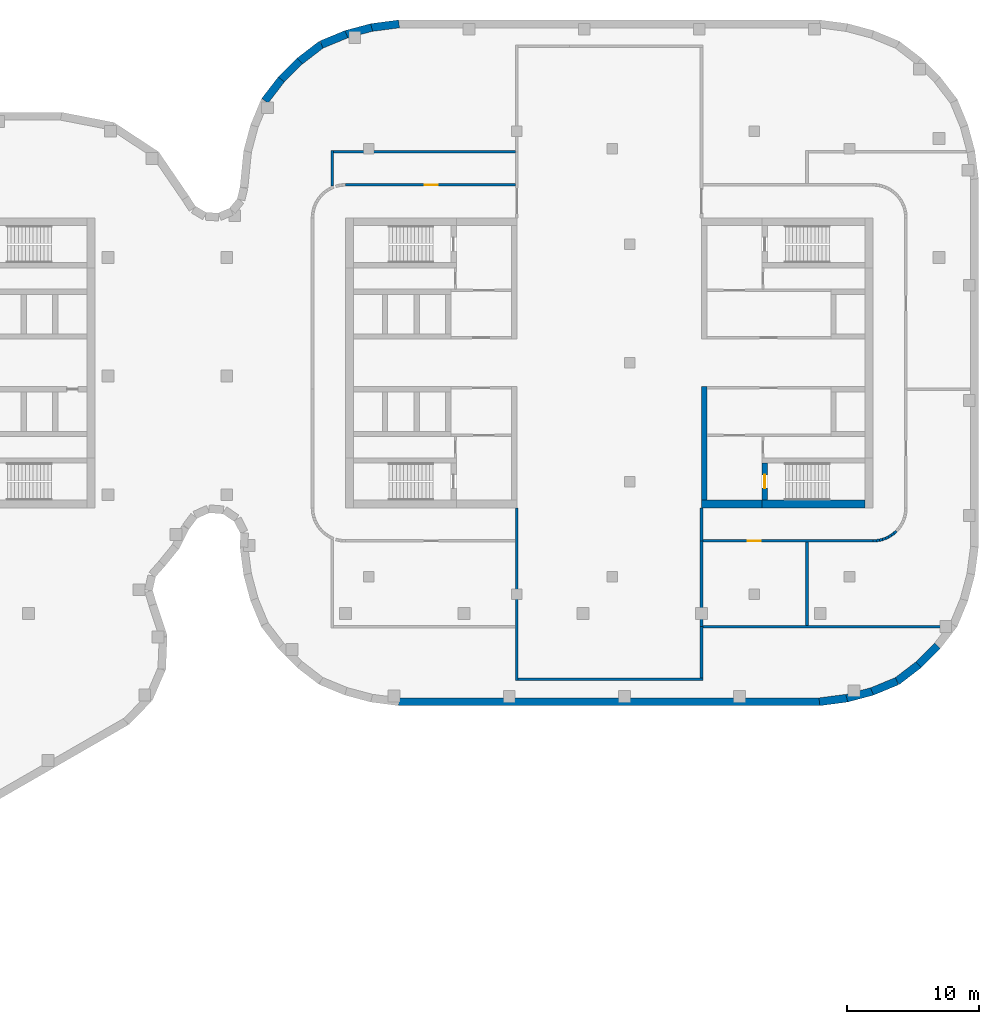
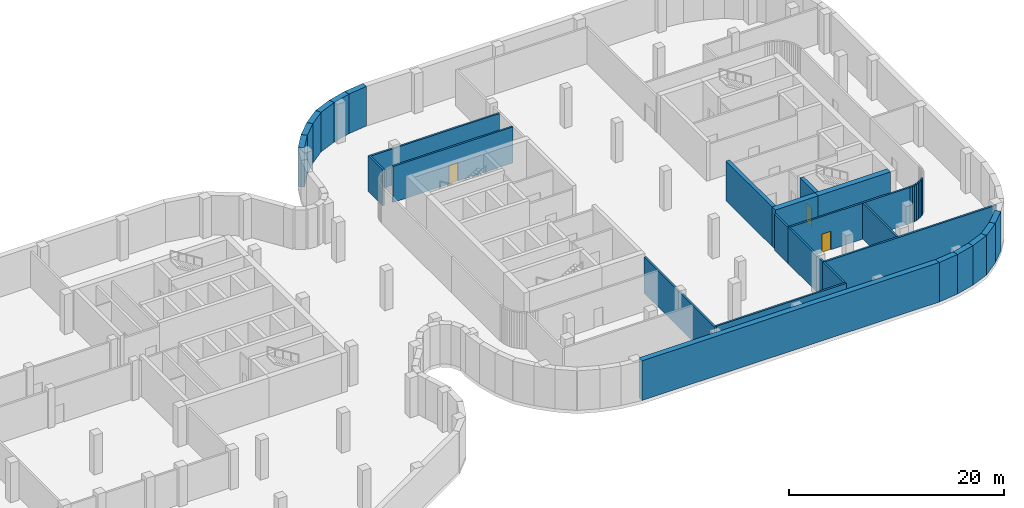
# One storey, part 11 of 16: 35 walls, 3 doors, 3 openings.
"""IFC4 building model written with IfcOpenShell, lengths in metres."""

import ifcopenshell
import ifcopenshell.guid

model = None  # the IFC model being written
_history = None  # IfcOwnerHistory: only IFC2X3 demands one
_inside = {}  # id of a spatial element -> (the spatial element, [elements in it])
_under = {}  # id of a project, library or spatial element -> (it, [spatial elements below it])
_declared = {}  # id of a project -> (the project, [libraries it declares])
_typed = {}  # id of a type object -> (the type object, [elements of that type])
_made_of = {}  # id of a material, layer set ... -> (it, [elements and type objects made of it])


def new_model(schema):
    """Start an empty IFC model of exactly this schema.

    Asked for "IFC4X3", IfcOpenShell would pick the latest addendum, in which some entities
    have other attributes; the version numbers below select the first issue.
    IFC2X3 requires an IfcOwnerHistory on every rooted entity: one is made here for all.
    """
    global model, _history
    if schema == "IFC4X3":
        model = ifcopenshell.file(schema_version=(4, 3, 0, 0))
    else:
        model = ifcopenshell.file(schema=schema)
    _inside.clear()
    _under.clear()
    _declared.clear()
    _typed.clear()
    _made_of.clear()
    _history = None
    if model.schema == "IFC2X3":
        org = make("IfcOrganization", Name="unknown")
        user = make(
            "IfcPersonAndOrganization",
            ThePerson=make("IfcPerson", FamilyName="unknown"),
            TheOrganization=org,
        )
        app = make(
            "IfcApplication",
            ApplicationDeveloper=org,
            Version="unknown",
            ApplicationFullName="unknown",
            ApplicationIdentifier="unknown",
        )
        _history = make(
            "IfcOwnerHistory",
            OwningUser=user,
            OwningApplication=app,
            ChangeAction="ADDED",
            CreationDate=0,
        )
    return model


def make(cls, **values):
    """One entity of the class cls with the attributes given. An attribute that is None is left unset."""
    return model.create_entity(
        cls, **{name: value for name, value in values.items() if value is not None}
    )


def rooted(cls, **values):
    """An entity with a GlobalId (a new one), such as an element, a storey or a relation."""
    return make(cls, GlobalId=ifcopenshell.guid.new(), OwnerHistory=_history, **values)


def si_unit(unit_type, name, prefix=None):
    """IfcSIUnit, for example si_unit("LENGTHUNIT", "METRE", prefix="MILLI")."""
    return make("IfcSIUnit", UnitType=unit_type, Prefix=prefix, Name=name)


def assignment(units):
    """IfcUnitAssignment: the units of a project."""
    return None if units is None else make("IfcUnitAssignment", Units=units)


def point(xyz):
    """IfcCartesianPoint."""
    return None if xyz is None else make("IfcCartesianPoint", Coordinates=xyz)


def direction(xyz):
    """IfcDirection."""
    return None if xyz is None else make("IfcDirection", DirectionRatios=xyz)


def frame(location, z_axis=None, x_axis=None):
    """IfcAxis2Placement3D, a coordinate frame: its origin and axes. An axis left out is left unset."""
    return make(
        "IfcAxis2Placement3D",
        Location=point(location),
        Axis=direction(z_axis),
        RefDirection=direction(x_axis),
    )


def frame_2d(location, x_axis=None):
    """IfcAxis2Placement2D, a coordinate frame in the plane: its origin and x axis."""
    return make(
        "IfcAxis2Placement2D", Location=point(location), RefDirection=direction(x_axis)
    )


def origin():
    """The frame at (0, 0, 0) with its axes left unset."""
    return frame((0.0, 0.0, 0.0))


def place(relative_to, where):
    """IfcLocalPlacement: puts the frame where relative to a parent placement (None: the world)."""
    return make(
        "IfcLocalPlacement", PlacementRelTo=relative_to, RelativePlacement=where
    )


def context(
    kind, dimensions, precision=None, world=None, true_north=None, identifier=None
):
    """IfcGeometricRepresentationContext, for example the 3D "Model" context."""
    return make(
        "IfcGeometricRepresentationContext",
        ContextIdentifier=identifier,
        ContextType=kind,
        CoordinateSpaceDimension=dimensions,
        Precision=precision,
        WorldCoordinateSystem=world,
        TrueNorth=true_north,
    )


def subcontext(parent, identifier, kind, view, scale=None):
    """IfcGeometricRepresentationSubContext, for example "Body" below "Model"."""
    return make(
        "IfcGeometricRepresentationSubContext",
        ContextIdentifier=identifier,
        ContextType=kind,
        ParentContext=parent,
        TargetScale=scale,
        TargetView=view,
    )


def project(units=None, contexts=None):
    """IfcProject with its units and contexts."""
    return rooted(
        "IfcProject",
        Name="project",
        RepresentationContexts=contexts,
        UnitsInContext=assignment(units),
    )


def spatial(cls, under=None, at=None, **own):
    """A site, building, storey or space (cls), placed at a placement, below another one or the project."""
    s = rooted(cls, ObjectPlacement=at, **own)
    if under is not None:
        _under.setdefault(under.id(), (under, []))[1].append(s)
    return s


def profile(cls, at=None, kind="AREA", **sizes):
    """A parametric profile (cls). Its sizes go by their IFC names, for example OverallWidth=200.0."""
    return make(cls, ProfileType=kind, Position=at, **sizes)


def rectangle(**sizes):
    """IfcRectangleProfileDef."""
    return profile("IfcRectangleProfileDef", **sizes)


def extrude(swept, where, along, depth):
    """IfcExtrudedAreaSolid: the profile swept, set in the frame where, extruded along a direction by depth."""
    return make(
        "IfcExtrudedAreaSolid",
        SweptArea=swept,
        Position=where,
        ExtrudedDirection=direction(along),
        Depth=depth,
    )


def shape(context_of_items, identifier, shape_type, items):
    """IfcShapeRepresentation: the items that make up one representation, for example the "Body"."""
    return make(
        "IfcShapeRepresentation",
        ContextOfItems=context_of_items,
        RepresentationIdentifier=identifier,
        RepresentationType=shape_type,
        Items=items,
    )


def material(Name=None, Category=None):
    """IfcMaterial."""
    return make("IfcMaterial", Name=Name, Category=Category)


def layer(
    of_material, thickness, ventilated=None, Name=None, Category=None, Priority=None
):
    """IfcMaterialLayer: one layer of a wall or slab, of a material (None: an air gap)."""
    return make(
        "IfcMaterialLayer",
        Material=of_material,
        LayerThickness=thickness,
        IsVentilated=ventilated,
        Name=Name,
        Category=Category,
        Priority=Priority,
    )


def layer_set(layers, Name=None):
    """IfcMaterialLayerSet."""
    return make("IfcMaterialLayerSet", MaterialLayers=layers, LayerSetName=Name)


def made_of(thing, what):
    """Note that an element or type object is made of a material, layer set ...; save() writes the relation."""
    if what is not None:
        _made_of.setdefault(what.id(), (what, []))[1].append(thing)
    return thing


def type_object(cls, material=None, **own):
    """A type object (cls), such as IfcWallType, which elements share."""
    return made_of(rooted(cls, **own), material)


def element(
    cls,
    number,
    at=None,
    inside=None,
    cuts=None,
    type_object=None,
    material=None,
    context=None,
    identifier="Body",
    shape_type=None,
    held_by="IfcProductDefinitionShape",
    body=None,
    shapes=None,
    **own,
):
    """One element of the class cls, such as IfcWall. Its Tag is "e" and its number.

    at: its placement. inside: the storey or other place that contains it. cuts: it is an
    opening in that element (IfcRelVoidsElement). A single representation is given by context,
    identifier, shape_type and body (its items); several are given by shapes. held_by: the class
    of the entity that holds the representations. save() writes the other relations.
    """
    e = rooted(cls, Tag="e%d" % number, ObjectPlacement=at, **own)
    if body is not None:
        shapes = [shape(context, identifier, shape_type, body)]
    if shapes is not None:
        e.Representation = make(held_by, Representations=shapes)
    if inside is not None:
        _inside.setdefault(inside.id(), (inside, []))[1].append(e)
    if cuts is not None:
        rooted(
            "IfcRelVoidsElement", RelatingBuildingElement=cuts, RelatedOpeningElement=e
        )
    if type_object is not None:
        _typed.setdefault(type_object.id(), (type_object, []))[1].append(e)
    return made_of(e, material)


def fill(opening, filler):
    """IfcRelFillsElement: the door or window that sits in an opening."""
    return rooted(
        "IfcRelFillsElement",
        RelatingOpeningElement=opening,
        RelatedBuildingElement=filler,
    )


def aggregate(whole, parts):
    """IfcRelAggregates: a whole, such as a stair, and the parts it consists of."""
    return rooted("IfcRelAggregates", RelatingObject=whole, RelatedObjects=parts)


def save(model, path):
    """Write the relations noted so far, then the file.

    IfcRelAggregates (storeys below a building ...), IfcRelContainedInSpatialStructure (elements
    in a storey), IfcRelDefinesByType, IfcRelAssociatesMaterial and IfcRelDeclares: one each for
    every whole, place, type object, material and project.
    """
    for whole, parts in _under.values():
        aggregate(whole, parts)
    for where, things in _inside.values():
        rooted(
            "IfcRelContainedInSpatialStructure",
            RelatedElements=things,
            RelatingStructure=where,
        )
    for kind, things in _typed.values():
        rooted("IfcRelDefinesByType", RelatedObjects=things, RelatingType=kind)
    for what, things in _made_of.values():
        rooted("IfcRelAssociatesMaterial", RelatedObjects=things, RelatingMaterial=what)
    for by, libraries in _declared.values():
        rooted("IfcRelDeclares", RelatingContext=by, RelatedDefinitions=libraries)
    model.write(path)


model = new_model("IFC4")

# Units and contexts
model_context = context("Model", 3, precision=1e-05, world=origin(), true_north=direction((0.0, 1.0)))
body_context = subcontext(model_context, "Body", "Model", "MODEL_VIEW")
ifc_project = project(units=[si_unit("LENGTHUNIT", "METRE"), si_unit("AREAUNIT", "SQUARE_METRE"), si_unit("VOLUMEUNIT", "CUBIC_METRE"), si_unit("PLANEANGLEUNIT", "RADIAN"), si_unit("MASSUNIT", "GRAM", prefix="KILO")], contexts=[model_context])

# Site, building, storey
site_placement = place(None, origin())
site = spatial("IfcSite", under=ifc_project, at=site_placement, CompositionType="ELEMENT")
building_placement = place(site_placement, origin())
building = spatial("IfcBuilding", under=site, at=building_placement, Name="Skarvind Civic Tower", CompositionType="ELEMENT")
storey_placement = place(building_placement, frame((0.0, 0.0, -4.5)))
storey = spatial("IfcBuildingStorey", under=building, at=storey_placement, Name="B1", CompositionType="ELEMENT", Elevation=-4.5)

# Walls
ifc_material_1 = material(Name="Concrete C40", Category="concrete")
ifc_layer_1 = layer(ifc_material_1, 0.60009765625)
ifc_layer_set_1 = layer_set([ifc_layer_1], Name="Basement retaining wall 600 C40")
wall_type_1 = type_object("IfcWallType", Name="Basement retaining wall 600 C40", PredefinedType="SHEAR", material=ifc_layer_set_1)
wall_1_placement = place(storey_placement, frame((120.890625, 147.87158203125, 0.0), z_axis=(0.0, 0.0, 1.0), x_axis=(0.609058260448, 0.793125485267, 0.0)))
element("IfcWall", 1, at=wall_1_placement, inside=storey, type_object=wall_type_1, Name="Basement retaining wall B1 37", PredefinedType="SHEAR", context=body_context, shape_type="SweptSolid", body=[
    extrude(rectangle(XDim=2.0439453125, YDim=0.60009765625, at=frame_2d((1.02197265625, 0.0))), origin(), (0.0, 0.0, 1.0), 4.5),
])
wall_2_placement = place(storey_placement, frame((122.109619140625, 149.463134765625, 0.0), z_axis=(0.0, 0.0, 1.0), x_axis=(0.707106781187, 0.707106781187, 0.0)))
element("IfcWall", 2, at=wall_2_placement, inside=storey, type_object=wall_type_1, Name="Basement retaining wall B1 38", PredefinedType="SHEAR", context=body_context, shape_type="SweptSolid", body=[
    extrude(rectangle(XDim=2.018310546875, YDim=0.60009765625, at=frame_2d((1.00927734375, 0.0))), origin(), (0.0, 0.0, 1.0), 4.5),
])
wall_3_placement = place(storey_placement, frame((123.50732421875, 150.864501953125, 0.0), z_axis=(0.0, 0.0, 1.0), x_axis=(0.79313029079, 0.609052002567, 0.0)))
element("IfcWall", 3, at=wall_3_placement, inside=storey, type_object=wall_type_1, Name="Basement retaining wall B1 39", PredefinedType="SHEAR", context=body_context, shape_type="SweptSolid", body=[
    extrude(rectangle(XDim=2.114013671875, YDim=0.60009765625, at=frame_2d((1.05712890625, 0.0))), origin(), (0.0, 0.0, 1.0), 4.5),
])
wall_4_placement = place(storey_placement, frame((125.1806640625, 152.1396484375, 0.0), z_axis=(0.0, 0.0, 1.0), x_axis=(0.924021197839, 0.382341242798, 0.0)))
element("IfcWall", 4, at=wall_4_placement, inside=storey, type_object=wall_type_1, Name="Basement retaining wall B1 40", PredefinedType="SHEAR", context=body_context, shape_type="SweptSolid", body=[
    extrude(rectangle(XDim=2.0439453125, YDim=0.60009765625, at=frame_2d((1.02197265625, 0.0))), origin(), (0.0, 0.0, 1.0), 4.5),
])
wall_5_placement = place(storey_placement, frame((127.032470703125, 152.908447265625, 0.0), z_axis=(0.0, 0.0, 1.0), x_axis=(0.965929732323, 0.258804467146, 0.0)))
element("IfcWall", 5, at=wall_5_placement, inside=storey, type_object=wall_type_1, Name="Basement retaining wall B1 41", PredefinedType="SHEAR", context=body_context, shape_type="SweptSolid", body=[
    extrude(rectangle(XDim=2.0224609375, YDim=0.60009765625, at=frame_2d((1.01123046875, 0.0))), origin(), (0.0, 0.0, 1.0), 4.5),
])
wall_6_placement = place(storey_placement, frame((128.947509765625, 153.42431640625, 0.0), z_axis=(0.0, 0.0, 1.0), x_axis=(0.991440646942, 0.130558200013, 0.0)))
element("IfcWall", 6, at=wall_6_placement, inside=storey, type_object=wall_type_1, Name="Basement retaining wall B1 42", PredefinedType="SHEAR", context=body_context, shape_type="SweptSolid", body=[
    extrude(rectangle(XDim=2.1318359375, YDim=0.60009765625, at=frame_2d((1.06591796875, 0.0))), origin(), (0.0, 0.0, 1.0), 4.5),
])
wall_7_placement = place(storey_placement, frame((171.890380859375, 106.536865234375, 0.0), z_axis=(0.0, 0.0, 1.0), x_axis=(-0.707106781187, -0.707106781187, 0.0)))
element("IfcWall", 7, at=wall_7_placement, inside=storey, type_object=wall_type_1, Name="Basement retaining wall B1 58", PredefinedType="SHEAR", context=body_context, shape_type="SweptSolid", body=[
    extrude(rectangle(XDim=2.018310546875, YDim=0.60009765625, at=frame_2d((1.00927734375, 0.0))), origin(), (0.0, 0.0, 1.0), 4.5),
])
wall_8_placement = place(storey_placement, frame((170.49267578125, 105.135498046875, 0.0), z_axis=(0.0, 0.0, 1.0), x_axis=(-0.79313029079, -0.609052002567, 0.0)))
element("IfcWall", 8, at=wall_8_placement, inside=storey, type_object=wall_type_1, Name="Basement retaining wall B1 59", PredefinedType="SHEAR", context=body_context, shape_type="SweptSolid", body=[
    extrude(rectangle(XDim=2.114013671875, YDim=0.60009765625, at=frame_2d((1.05712890625, 0.0))), origin(), (0.0, 0.0, 1.0), 4.5),
])
wall_9_placement = place(storey_placement, frame((168.8193359375, 103.8603515625, 0.0), z_axis=(0.0, 0.0, 1.0), x_axis=(-0.924021197839, -0.382341242798, 0.0)))
element("IfcWall", 9, at=wall_9_placement, inside=storey, type_object=wall_type_1, Name="Basement retaining wall B1 60", PredefinedType="SHEAR", context=body_context, shape_type="SweptSolid", body=[
    extrude(rectangle(XDim=2.0439453125, YDim=0.60009765625, at=frame_2d((1.02197265625, 0.0))), origin(), (0.0, 0.0, 1.0), 4.5),
])
wall_10_placement = place(storey_placement, frame((166.967529296875, 103.091552734375, 0.0), z_axis=(0.0, 0.0, 1.0), x_axis=(-0.965929732323, -0.258804467146, 0.0)))
element("IfcWall", 10, at=wall_10_placement, inside=storey, type_object=wall_type_1, Name="Basement retaining wall B1 61", PredefinedType="SHEAR", context=body_context, shape_type="SweptSolid", body=[
    extrude(rectangle(XDim=2.0224609375, YDim=0.60009765625, at=frame_2d((1.01123046875, 0.0))), origin(), (0.0, 0.0, 1.0), 4.5),
])
wall_11_placement = place(storey_placement, frame((165.052490234375, 102.57568359375, 0.0), z_axis=(0.0, 0.0, 1.0), x_axis=(-0.991440646942, -0.130558200013, 0.0)))
element("IfcWall", 11, at=wall_11_placement, inside=storey, type_object=wall_type_1, Name="Basement retaining wall B1 62", PredefinedType="SHEAR", context=body_context, shape_type="SweptSolid", body=[
    extrude(rectangle(XDim=2.1318359375, YDim=0.60009765625, at=frame_2d((1.06591796875, 0.0))), origin(), (0.0, 0.0, 1.0), 4.5),
])
wall_12_placement = place(storey_placement, frame((162.978271484375, 102.300048828125, 0.0), z_axis=(0.0, 0.0, 1.0), x_axis=(-1.0, 0.0, 0.0)))
element("IfcWall", 12, at=wall_12_placement, inside=storey, type_object=wall_type_1, Name="Basement retaining wall B1 63", PredefinedType="SHEAR", context=body_context, shape_type="SweptSolid", body=[
    extrude(rectangle(XDim=31.95654296875, YDim=0.60009765625, at=frame_2d((15.978271484375, 0.0))), origin(), (0.0, 0.0, 1.0), 4.5),
])

# Wall, opening, door
ifc_material_2 = material(Name="Concrete C80", Category="concrete")
ifc_layer_2 = layer(ifc_material_2, 0.39990234375)
ifc_layer_set_2 = layer_set([ifc_layer_2], Name="Core wall 400 C80")
wall_type_2 = type_object("IfcWallType", Name="Core wall 400 C80", PredefinedType="SHEAR", material=ifc_layer_set_2)
wall_13_placement = place(storey_placement, frame((158.800048828125, 120.39990234375, 0.0), z_axis=(0.0, 0.0, 1.0), x_axis=(0.0, -1.0, 0.0)))
wall_13 = element("IfcWall", 13, at=wall_13_placement, inside=storey, type_object=wall_type_2, Name="Core wall CB north stair end B1", PredefinedType="SHEAR", context=body_context, shape_type="SweptSolid", body=[
    extrude(rectangle(XDim=2.7998046875, YDim=0.39990234375, at=frame_2d((1.39990234375, 0.0))), origin(), (0.0, 0.0, 1.0), 4.5),
])
opening_1_placement = place(wall_13_placement, frame((0.89990234375, 0.0, 0.0)))
opening_1 = element("IfcOpeningElement", 14, at=opening_1_placement, cuts=wall_13, Name="Opening D-B1-CB-03", PredefinedType="OPENING", context=body_context, shape_type="SweptSolid", body=[
    extrude(rectangle(XDim=1.0, YDim=2.10009765625, at=frame_2d((0.5, 1.050048828125))), frame((0.0, 0.2099609375, 0.0), z_axis=(0.0, -1.0, 0.0), x_axis=(1.0, 0.0, 0.0)), (0.0, 0.0, 1.0), 0.419921875),
])
ifc_material_3 = material(Name="Fire-rated steel door", Category="steel")
door_type_1 = type_object("IfcDoorType", Name="Fire door 1000", OperationType="NOTDEFINED", PredefinedType="DOOR", material=ifc_material_3)
door_1_placement = place(opening_1_placement, origin())
door_1 = element("IfcDoor", 15, at=door_1_placement, inside=storey, type_object=door_type_1, Name="Fire door", OperationType="SINGLE_SWING_LEFT", OverallHeight=2.10009765625, OverallWidth=1.0, PredefinedType="DOOR", context=body_context, shape_type="SweptSolid", body=[
    extrude(rectangle(XDim=1.0, YDim=2.10009765625, at=frame_2d((0.5, 1.050048828125))), frame((0.0, 0.02490234375, 0.0), z_axis=(0.0, -1.0, 0.0), x_axis=(1.0, 0.0, 0.0)), (0.0, 0.0, 1.0), 0.050048828125),
])
fill(opening_1, door_1)

# Walls
wall_14_placement = place(storey_placement, frame((154.199951171875, 126.199951171875, 0.0), z_axis=(0.0, 0.0, 1.0), x_axis=(0.0, -1.0, 0.0)))
element("IfcWall", 16, at=wall_14_placement, inside=storey, type_object=wall_type_2, Name="Core wall CB north inner face B1", PredefinedType="SHEAR", context=body_context, shape_type="SweptSolid", body=[
    extrude(rectangle(XDim=8.599853515625, YDim=0.39990234375, at=frame_2d((4.2998046875, 0.0))), origin(), (0.0, 0.0, 1.0), 4.5),
])
ifc_layer_3 = layer(ifc_material_2, 0.60009765625)
ifc_layer_set_3 = layer_set([ifc_layer_3], Name="Core wall 600 C80")
wall_type_3 = type_object("IfcWallType", Name="Core wall 600 C80", PredefinedType="SHEAR", material=ifc_layer_set_3)
wall_15_placement = place(storey_placement, frame((166.39990234375, 117.300048828125, 0.0), z_axis=(0.0, 0.0, 1.0), x_axis=(-1.0, 0.0, 0.0)))
element("IfcWall", 17, at=wall_15_placement, inside=storey, type_object=wall_type_3, Name="Core wall CB north side at the stair B1", PredefinedType="SHEAR", context=body_context, shape_type="SweptSolid", body=[
    extrude(rectangle(XDim=7.7998046875, YDim=0.60009765625, at=frame_2d((3.89990234375, 0.0))), origin(), (0.0, 0.0, 1.0), 4.5),
])
wall_16_placement = place(storey_placement, frame((158.60009765625, 117.300048828125, 0.0), z_axis=(0.0, 0.0, 1.0), x_axis=(-1.0, 0.0, 0.0)))
element("IfcWall", 18, at=wall_16_placement, inside=storey, type_object=wall_type_3, Name="Core wall CB north side B1", PredefinedType="SHEAR", context=body_context, shape_type="SweptSolid", body=[
    extrude(rectangle(XDim=4.60009765625, YDim=0.60009765625, at=frame_2d((2.300048828125, 0.0))), origin(), (0.0, 0.0, 1.0), 4.5),
])
ifc_material_4 = material(Name="Fire-rated blockwork wall, plastered", Category="masonry")
ifc_layer_4 = layer(ifc_material_4, 0.199951171875)
ifc_layer_set_4 = layer_set([ifc_layer_4], Name="FIRE WALL 200 EI 120")
wall_type_4 = type_object("IfcWallType", Name="FIRE WALL 200 EI 120", PredefinedType="PARTITIONING", material=ifc_layer_set_4)
wall_17_placement = place(storey_placement, frame((126.0, 141.40087890625, 0.0), z_axis=(0.0, 0.0, 1.0), x_axis=(0.0, 1.0, 0.0)))
element("IfcWall", 19, at=wall_17_placement, inside=storey, type_object=wall_type_4, Name="Basement partition B1 061", PredefinedType="PARTITIONING", context=body_context, shape_type="SweptSolid", body=[
    extrude(rectangle(XDim=2.69921875, YDim=0.199951171875, at=frame_2d((1.349609375, 0.0))), origin(), (0.0, 0.0, 1.0), 4.10009765625),
])
wall_18_placement = place(storey_placement, frame((126.10009765625, 144.0, 0.0), z_axis=(0.0, 0.0, 1.0), x_axis=(1.0, 0.0, 0.0)))
element("IfcWall", 20, at=wall_18_placement, inside=storey, type_object=wall_type_4, Name="Basement partition B1 062", PredefinedType="PARTITIONING", context=body_context, shape_type="SweptSolid", body=[
    extrude(rectangle(XDim=13.7998046875, YDim=0.199951171875, at=frame_2d((6.89990234375, 0.0))), origin(), (0.0, 0.0, 1.0), 4.10009765625),
])
wall_19_placement = place(storey_placement, frame((154.0, 108.0, 0.0), z_axis=(0.0, 0.0, 1.0), x_axis=(0.0, 1.0, 0.0)))
element("IfcWall", 21, at=wall_19_placement, inside=storey, type_object=wall_type_4, Name="Basement partition B1 080", PredefinedType="PARTITIONING", context=body_context, shape_type="SweptSolid", body=[
    extrude(rectangle(XDim=6.5, YDim=0.199951171875, at=frame_2d((3.25, 0.0))), origin(), (0.0, 0.0, 1.0), 4.10009765625),
])
wall_20_placement = place(storey_placement, frame((154.10009765625, 108.0, 0.0), z_axis=(0.0, 0.0, 1.0), x_axis=(1.0, 0.0, 0.0)))
element("IfcWall", 22, at=wall_20_placement, inside=storey, type_object=wall_type_4, Name="Basement partition B1 081", PredefinedType="PARTITIONING", context=body_context, shape_type="SweptSolid", body=[
    extrude(rectangle(XDim=18.468994140625, YDim=0.199951171875, at=frame_2d((9.234375, 0.0))), origin(), (0.0, 0.0, 1.0), 4.10009765625),
])

# Wall, opening, door
wall_21_placement = place(storey_placement, frame((167.001953125, 114.5, 0.0), z_axis=(0.0, 0.0, 1.0), x_axis=(-1.0, 0.0, 0.0)))
wall_21 = element("IfcWall", 23, at=wall_21_placement, inside=storey, type_object=wall_type_4, Name="Basement partition B1 083", PredefinedType="PARTITIONING", context=body_context, shape_type="SweptSolid", body=[
    extrude(rectangle(XDim=12.90185546875, YDim=0.199951171875, at=frame_2d((6.450927734375, 0.0))), origin(), (0.0, 0.0, 1.0), 4.10009765625),
])
opening_2_placement = place(wall_21_placement, frame((8.5, 0.0, 0.0)))
opening_2 = element("IfcOpeningElement", 24, at=opening_2_placement, cuts=wall_21, Name="Opening B1-D217", PredefinedType="OPENING", context=body_context, shape_type="SweptSolid", body=[
    extrude(rectangle(XDim=1.0, YDim=2.10009765625, at=frame_2d((0.5, 1.050048828125))), frame((0.0, 0.10986328125, 0.0), z_axis=(0.0, -1.0, 0.0), x_axis=(1.0, 0.0, 0.0)), (0.0, 0.0, 1.0), 0.219970703125),
])
ifc_material_5 = material(Name="Painted steel fire door leaf", Category="steel")
door_type_2 = type_object("IfcDoorType", Name="FIRE DOOR 1000X2100 STEEL", OperationType="NOTDEFINED", PredefinedType="DOOR", material=ifc_material_5)
door_2_placement = place(opening_2_placement, origin())
door_2 = element("IfcDoor", 25, at=door_2_placement, inside=storey, type_object=door_type_2, Name="FIRE DOOR", OperationType="SINGLE_SWING_LEFT", OverallHeight=2.10009765625, OverallWidth=1.0, PredefinedType="DOOR", context=body_context, shape_type="SweptSolid", body=[
    extrude(rectangle(XDim=1.0, YDim=2.10009765625, at=frame_2d((0.5, 1.050048828125))), frame((0.0, 0.02490234375, 0.0), z_axis=(0.0, -1.0, 0.0), x_axis=(1.0, 0.0, 0.0)), (0.0, 0.0, 1.0), 0.050048828125),
])
fill(opening_2, door_2)

# Walls
wall_22_placement = place(storey_placement, frame((162.0, 108.10009765625, 0.0), z_axis=(0.0, 0.0, 1.0), x_axis=(0.0, 1.0, 0.0)))
element("IfcWall", 26, at=wall_22_placement, inside=storey, type_object=wall_type_4, Name="Basement partition B1 086", PredefinedType="PARTITIONING", context=body_context, shape_type="SweptSolid", body=[
    extrude(rectangle(XDim=6.2998046875, YDim=0.199951171875, at=frame_2d((3.14990234375, 0.0))), origin(), (0.0, 0.0, 1.0), 4.10009765625),
])
wall_23_placement = place(storey_placement, frame((166.998046875, 114.5, 0.0), z_axis=(0.0, 0.0, 1.0), x_axis=(0.998874697667, 0.047427190102, 0.0)))
element("IfcWall", 27, at=wall_23_placement, inside=storey, type_object=wall_type_4, Name="Basement partition B1 089", PredefinedType="PARTITIONING", context=body_context, shape_type="SweptSolid", body=[
    extrude(rectangle(XDim=0.252197265625, YDim=0.199951171875, at=frame_2d((0.1259765625, 0.0))), origin(), (0.0, 0.0, 1.0), 4.10009765625),
])
wall_24_placement = place(storey_placement, frame((167.239990234375, 114.510986328125, 0.0), z_axis=(0.0, 0.0, 1.0), x_axis=(0.988852180426, 0.148900521377, 0.0)))
element("IfcWall", 28, at=wall_24_placement, inside=storey, type_object=wall_type_4, Name="Basement partition B1 091", PredefinedType="PARTITIONING", context=body_context, shape_type="SweptSolid", body=[
    extrude(rectangle(XDim=0.255859375, YDim=0.199951171875, at=frame_2d((0.1279296875, 0.0))), origin(), (0.0, 0.0, 1.0), 4.10009765625),
])
wall_25_placement = place(storey_placement, frame((167.48291015625, 114.547119140625, 0.0), z_axis=(0.0, 0.0, 1.0), x_axis=(0.970366809683, 0.241636616978, 0.0)))
element("IfcWall", 29, at=wall_25_placement, inside=storey, type_object=wall_type_4, Name="Basement partition B1 093", PredefinedType="PARTITIONING", context=body_context, shape_type="SweptSolid", body=[
    extrude(rectangle(XDim=0.255615234375, YDim=0.199951171875, at=frame_2d((0.1279296875, 0.0))), origin(), (0.0, 0.0, 1.0), 4.10009765625),
])
wall_26_placement = place(storey_placement, frame((167.721923828125, 114.60595703125, 0.0), z_axis=(0.0, 0.0, 1.0), x_axis=(0.941459892631, 0.337125007331, 0.0)))
element("IfcWall", 30, at=wall_26_placement, inside=storey, type_object=wall_type_4, Name="Basement partition B1 095", PredefinedType="PARTITIONING", context=body_context, shape_type="SweptSolid", body=[
    extrude(rectangle(XDim=0.2548828125, YDim=0.199951171875, at=frame_2d((0.12744140625, 0.0))), origin(), (0.0, 0.0, 1.0), 4.10009765625),
])
wall_27_placement = place(storey_placement, frame((167.951904296875, 114.68798828125, 0.0), z_axis=(0.0, 0.0, 1.0), x_axis=(0.903444698448, 0.4287046499, 0.0)))
element("IfcWall", 31, at=wall_27_placement, inside=storey, type_object=wall_type_4, Name="Basement partition B1 097", PredefinedType="PARTITIONING", context=body_context, shape_type="SweptSolid", body=[
    extrude(rectangle(XDim=0.254638671875, YDim=0.199951171875, at=frame_2d((0.12744140625, 0.0))), origin(), (0.0, 0.0, 1.0), 4.10009765625),
])
wall_28_placement = place(storey_placement, frame((168.174072265625, 114.79296875, 0.0), z_axis=(0.0, 0.0, 1.0), x_axis=(0.857998903579, 0.513651517527, 0.0)))
element("IfcWall", 32, at=wall_28_placement, inside=storey, type_object=wall_type_4, Name="Basement partition B1 099", PredefinedType="PARTITIONING", context=body_context, shape_type="SweptSolid", body=[
    extrude(rectangle(XDim=0.255126953125, YDim=0.199951171875, at=frame_2d((0.12744140625, 0.0))), origin(), (0.0, 0.0, 1.0), 4.10009765625),
])
wall_29_placement = place(storey_placement, frame((168.385009765625, 114.91796875, 0.0), z_axis=(0.0, 0.0, 1.0), x_axis=(0.803201336243, 0.595707657713, 0.0)))
element("IfcWall", 33, at=wall_29_placement, inside=storey, type_object=wall_type_4, Name="Basement partition B1 101", PredefinedType="PARTITIONING", context=body_context, shape_type="SweptSolid", body=[
    extrude(rectangle(XDim=0.25537109375, YDim=0.199951171875, at=frame_2d((0.127685546875, 0.0))), origin(), (0.0, 0.0, 1.0), 4.10009765625),
])
wall_30_placement = place(storey_placement, frame((168.58203125, 115.06396484375, 0.0), z_axis=(0.0, 0.0, 1.0), x_axis=(0.742914175687, 0.66938668015, 0.0)))
element("IfcWall", 34, at=wall_30_placement, inside=storey, type_object=wall_type_4, Name="Basement partition B1 103", PredefinedType="PARTITIONING", context=body_context, shape_type="SweptSolid", body=[
    extrude(rectangle(XDim=0.255615234375, YDim=0.199951171875, at=frame_2d((0.1279296875, 0.0))), origin(), (0.0, 0.0, 1.0), 4.10009765625),
])

# Wall, opening, door
ifc_layer_5 = layer(ifc_material_4, 0.199951171875)
ifc_layer_set_5 = layer_set([ifc_layer_5], Name="FIRE WALL 200 EI 60")
wall_type_5 = type_object("IfcWallType", Name="FIRE WALL 200 EI 60", PredefinedType="PARTITIONING", material=ifc_layer_set_5)
wall_31_placement = place(storey_placement, frame((126.998046875, 141.5, 0.0), z_axis=(0.0, 0.0, 1.0), x_axis=(1.0, 0.0, 0.0)))
wall_31 = element("IfcWall", 35, at=wall_31_placement, inside=storey, type_object=wall_type_5, Name="Basement partition B1 072", PredefinedType="PARTITIONING", context=body_context, shape_type="SweptSolid", body=[
    extrude(rectangle(XDim=12.90185546875, YDim=0.199951171875, at=frame_2d((6.450927734375, 0.0))), origin(), (0.0, 0.0, 1.0), 4.10009765625),
])
opening_3_placement = place(wall_31_placement, frame((6.001953125, 0.0, 0.0)))
opening_3 = element("IfcOpeningElement", 36, at=opening_3_placement, cuts=wall_31, Name="Opening B1-D214", PredefinedType="OPENING", context=body_context, shape_type="SweptSolid", body=[
    extrude(rectangle(XDim=1.0, YDim=2.10009765625, at=frame_2d((0.5, 1.050048828125))), frame((0.0, 0.10986328125, 0.0), z_axis=(0.0, -1.0, 0.0), x_axis=(1.0, 0.0, 0.0)), (0.0, 0.0, 1.0), 0.219970703125),
])
door_3_placement = place(opening_3_placement, origin())
door_3 = element("IfcDoor", 37, at=door_3_placement, inside=storey, type_object=door_type_2, Name="FIRE DOOR", OperationType="SINGLE_SWING_RIGHT", OverallHeight=2.10009765625, OverallWidth=1.0, PredefinedType="DOOR", context=body_context, shape_type="SweptSolid", body=[
    extrude(rectangle(XDim=1.0, YDim=2.10009765625, at=frame_2d((0.5, 1.050048828125))), frame((0.0, 0.02490234375, 0.0), z_axis=(0.0, -1.0, 0.0), x_axis=(1.0, 0.0, 0.0)), (0.0, 0.0, 1.0), 0.050048828125),
])
fill(opening_3, door_3)

# Walls
wall_32_placement = place(storey_placement, frame((140.0, 103.89990234375, 0.0), z_axis=(0.0, 0.0, 1.0), x_axis=(0.0, 1.0, 0.0)))
element("IfcWall", 38, at=wall_32_placement, inside=storey, type_object=wall_type_5, Name="Basement partition B1 073", PredefinedType="PARTITIONING", context=body_context, shape_type="SweptSolid", body=[
    extrude(rectangle(XDim=13.10009765625, YDim=0.199951171875, at=frame_2d((6.550048828125, 0.0))), origin(), (0.0, 0.0, 1.0), 4.10009765625),
])
wall_33_placement = place(storey_placement, frame((140.10009765625, 104.0, 0.0), z_axis=(0.0, 0.0, 1.0), x_axis=(1.0, 0.0, 0.0)))
element("IfcWall", 39, at=wall_33_placement, inside=storey, type_object=wall_type_5, Name="Basement partition B1 074", PredefinedType="PARTITIONING", context=body_context, shape_type="SweptSolid", body=[
    extrude(rectangle(XDim=14.0, YDim=0.199951171875, at=frame_2d((7.0, 0.0))), origin(), (0.0, 0.0, 1.0), 4.10009765625),
])
wall_34_placement = place(storey_placement, frame((154.0, 104.10009765625, 0.0), z_axis=(0.0, 0.0, 1.0), x_axis=(0.0, 1.0, 0.0)))
element("IfcWall", 40, at=wall_34_placement, inside=storey, type_object=wall_type_5, Name="Basement partition B1 079", PredefinedType="PARTITIONING", context=body_context, shape_type="SweptSolid", body=[
    extrude(rectangle(XDim=3.89990234375, YDim=0.199951171875, at=frame_2d((1.949951171875, 0.0))), origin(), (0.0, 0.0, 1.0), 4.10009765625),
])
wall_35_placement = place(storey_placement, frame((154.0, 114.5, 0.0), z_axis=(0.0, 0.0, 1.0), x_axis=(0.0, 1.0, 0.0)))
element("IfcWall", 41, at=wall_35_placement, inside=storey, type_object=wall_type_5, Name="Basement partition B1 082", PredefinedType="PARTITIONING", context=body_context, shape_type="SweptSolid", body=[
    extrude(rectangle(XDim=2.5, YDim=0.199951171875, at=frame_2d((1.25, 0.0))), origin(), (0.0, 0.0, 1.0), 4.10009765625),
])

save(model, "model.ifc")
